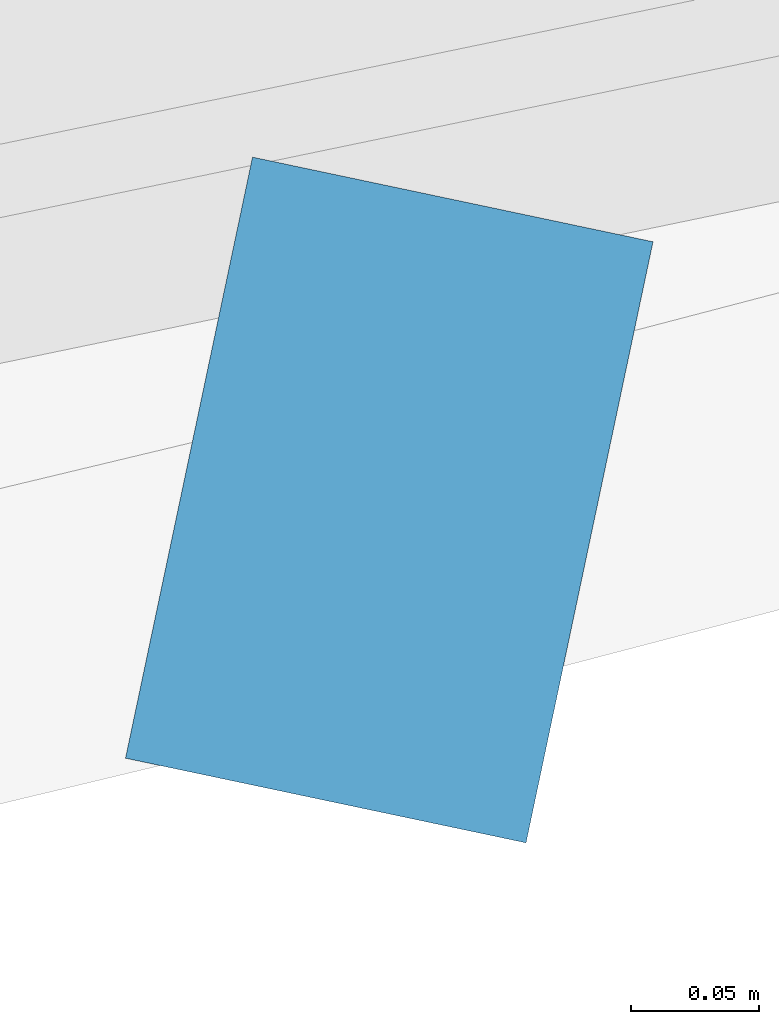
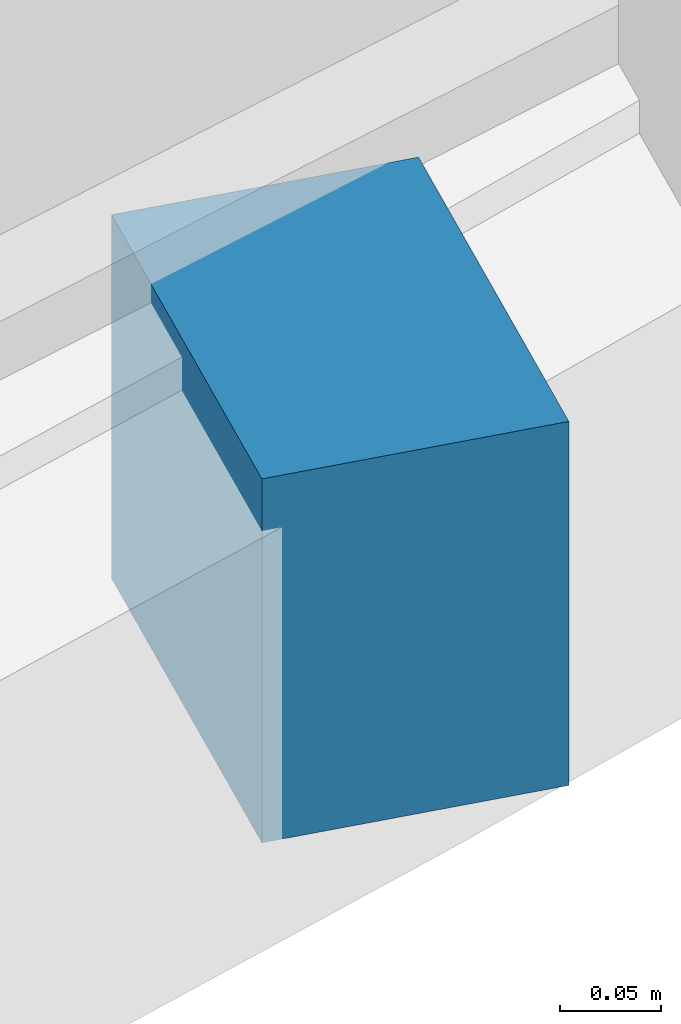
# One storey, part 12 of 18: 1 discrete accessory.
"""IFC4 building model written with IfcOpenShell, lengths in metres."""

from ifc_helpers import new_model, si_unit, direction, frame, origin, origin_2d, place, context, subcontext, project, spatial, rectangle, extrude, material, type_object, element, save


model = new_model("IFC4")

# Units and contexts
model_context = context("Model", 3, precision=1e-05, world=origin(), true_north=direction((0.0, 1.0)))
body_context = subcontext(model_context, "Body", "Model", "MODEL_VIEW")
ifc_project = project(units=[si_unit("LENGTHUNIT", "METRE"), si_unit("AREAUNIT", "SQUARE_METRE"), si_unit("VOLUMEUNIT", "CUBIC_METRE"), si_unit("PLANEANGLEUNIT", "RADIAN"), si_unit("MASSUNIT", "GRAM", prefix="KILO")], contexts=[model_context])

# Site, building, storey
site_placement = place(None, origin())
site = spatial("IfcSite", under=ifc_project, at=site_placement, CompositionType="ELEMENT")
building_placement = place(site_placement, origin())
building = spatial("IfcBuilding", under=site, at=building_placement, Name="Savorim Split Tower", CompositionType="ELEMENT")
storey_placement = place(building_placement, frame((0.0, 0.0, 44.39990234375)))
storey = spatial("IfcBuildingStorey", under=building, at=storey_placement, Name="L11", CompositionType="ELEMENT", Elevation=44.39990234375)

# Discrete accessory
ifc_material = material(Name="Steel S355", Category="steel")
discrete_accessory_type = type_object("IfcDiscreteAccessoryType", Name="ACC-BRK-FIN", PredefinedType="BRACKET", material=ifc_material)
discrete_accessory_placement = place(storey_placement, frame((26.241943359375, -19.881591796875, -0.18994140625), z_axis=(0.0, 0.0, 1.0), x_axis=(-0.206721626106, -0.978399800337, 0.0)))
element("IfcDiscreteAccessory", 1, at=discrete_accessory_placement, inside=storey, type_object=discrete_accessory_type, Name="L11 Fin Slab-Edge Cleat Bracket 13", PredefinedType="BRACKET", context=body_context, shape_type="SweptSolid", body=[
    extrude(rectangle(XDim=0.239990234375, YDim=0.159912109375, at=origin_2d()), origin(), (0.0, 0.0, 1.0), 0.219970703125),
])

save(model, "model.ifc")
